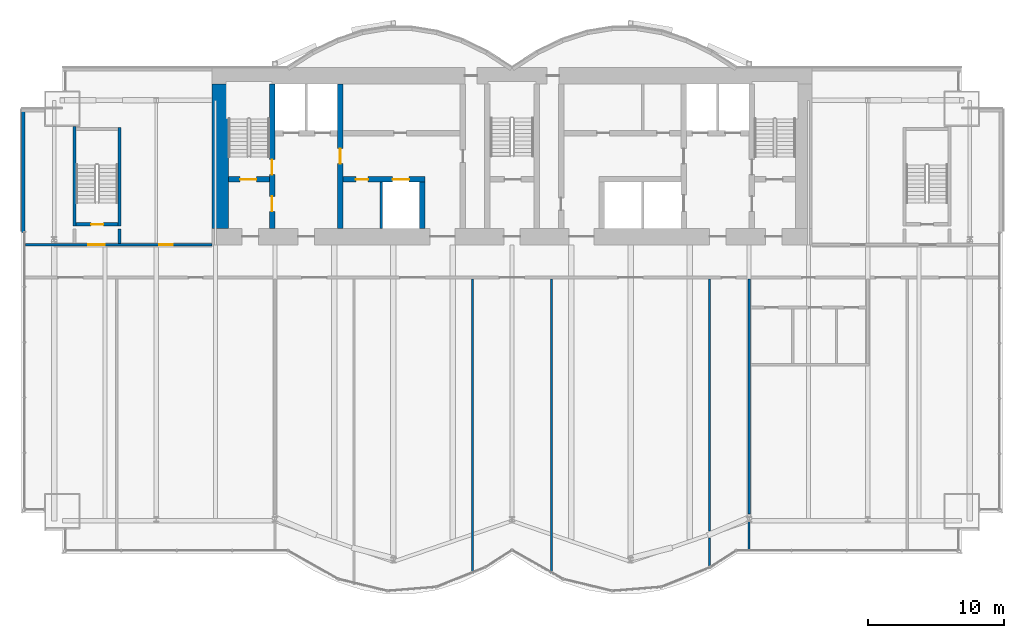
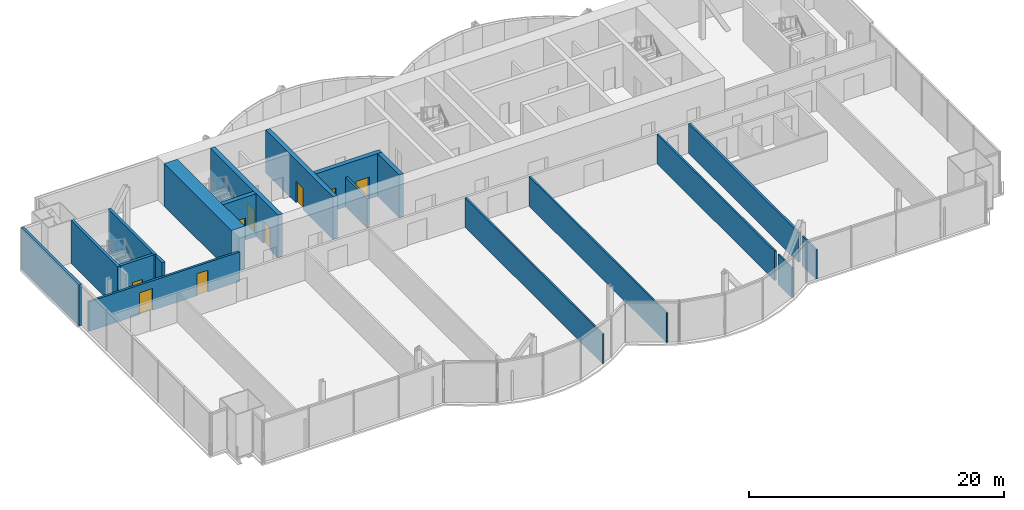
# One storey, part 16 of 22: 19 walls, 9 doors, 9 openings.
"""IFC4 building model written with IfcOpenShell, lengths in metres."""

from ifc_helpers import new_model, si_unit, direction, frame, frame_2d, origin, place, context, subcontext, project, spatial, rectangle, extrude, material, layer, layer_set, layer_usage, type_object, element, fill, save


model = new_model("IFC4")

# Units and contexts
model_context = context("Model", 3, precision=1e-05, world=origin(), true_north=direction((0.0, 1.0)))
body_context = subcontext(model_context, "Body", "Model", "MODEL_VIEW")
ifc_project = project(units=[si_unit("LENGTHUNIT", "METRE"), si_unit("AREAUNIT", "SQUARE_METRE"), si_unit("VOLUMEUNIT", "CUBIC_METRE"), si_unit("PLANEANGLEUNIT", "RADIAN"), si_unit("MASSUNIT", "GRAM", prefix="KILO")], contexts=[model_context])

# Site, building, storey
site_placement = place(None, origin())
site = spatial("IfcSite", under=ifc_project, at=site_placement, CompositionType="ELEMENT")
building_placement = place(site_placement, origin())
building = spatial("IfcBuilding", under=site, at=building_placement, Name="Bicima Exchange Tower", CompositionType="ELEMENT")
storey_placement = place(building_placement, frame((0.0, 0.0, 148.60009765625)))
storey = spatial("IfcBuildingStorey", under=building, at=storey_placement, Name="L32", CompositionType="ELEMENT", Elevation=148.60009765625)

# Wall
ifc_material_1 = material(Name="Gypsum board partition")
ifc_layer_1 = layer(ifc_material_1, 0.199951171875)
ifc_layer_set_1 = layer_set([ifc_layer_1], Name="Gypsum board partition")
wall_type_1 = type_object("IfcWallType", Name="Fire-rated gypsum partition 200 EI120", PredefinedType="PARTITIONING", material=ifc_layer_set_1)
wall_1_placement = place(storey_placement, frame((-9.60009765625, -11.800048828125, 0.0), z_axis=(0.0, 0.0, 1.0), x_axis=(0.0, 1.0, 0.0)))
element("IfcWall", 1, at=wall_1_placement, inside=storey, type_object=wall_type_1, Name="partition wall 11", PredefinedType="PARTITIONING", context=body_context, shape_type="SweptSolid", body=[
    extrude(rectangle(XDim=3.400146484375, YDim=0.199951171875, at=frame_2d((1.7001953125, 0.0))), origin(), (0.0, 0.0, 1.0), 2.840087890625),
])

# Wall, openings, doors
ifc_layer_2 = layer(ifc_material_1, 0.199951171875)
ifc_layer_set_2 = layer_set([ifc_layer_2], Name="Gypsum board partition")
wall_type_2 = type_object("IfcWallType", Name="Fire-rated gypsum partition 200 EI60", PredefinedType="PARTITIONING", material=ifc_layer_set_2)
wall_2_placement = place(storey_placement, frame((-35.679931640625, -13.0, 0.0), z_axis=(0.0, 0.0, 1.0), x_axis=(1.0, 0.0, 0.0)))
wall_2 = element("IfcWall", 2, at=wall_2_placement, inside=storey, type_object=wall_type_2, Name="partition wall 4", PredefinedType="PARTITIONING", context=body_context, shape_type="SweptSolid", body=[
    extrude(rectangle(XDim=13.679931640625, YDim=0.199951171875, at=frame_2d((6.83984375, 0.0))), origin(), (0.0, 0.0, 1.0), 2.840087890625),
])
opening_1_placement = place(wall_2_placement, frame((4.580078125, 0.0, 0.0)))
opening_1 = element("IfcOpeningElement", 3, at=opening_1_placement, cuts=wall_2, Name="Opening L32-001", PredefinedType="OPENING", context=body_context, shape_type="SweptSolid", body=[
    extrude(rectangle(XDim=1.199951171875, YDim=2.10009765625, at=frame_2d((0.60009765625, 1.050048828125))), frame((0.0, 0.11181640625, 0.0), z_axis=(0.0, -1.0, 0.0), x_axis=(1.0, 0.0, 0.0)), (0.0, 0.0, 1.0), 0.223876953125),
])
opening_2_placement = place(wall_2_placement, frame((9.780029296875, 0.0, 0.0)))
opening_2 = element("IfcOpeningElement", 4, at=opening_2_placement, cuts=wall_2, Name="Opening L32-005", PredefinedType="OPENING", context=body_context, shape_type="SweptSolid", body=[
    extrude(rectangle(XDim=1.0, YDim=2.10009765625, at=frame_2d((0.5, 1.050048828125))), frame((0.0, 0.11181640625, 0.0), z_axis=(0.0, -1.0, 0.0), x_axis=(1.0, 0.0, 0.0)), (0.0, 0.0, 1.0), 0.223876953125),
])
ifc_material_2 = material(Name="Steel fire door leaf", Category="steel")
door_type_1 = type_object("IfcDoorType", Name="Door 1000 swing FD30S", OperationType="SINGLE_SWING_LEFT", PredefinedType="DOOR", material=ifc_material_2)
door_1_placement = place(opening_2_placement, origin())
door_1 = element("IfcDoor", 5, at=door_1_placement, inside=storey, type_object=door_type_1, Name="Door", OperationType="SINGLE_SWING_LEFT", OverallHeight=2.10009765625, OverallWidth=1.0, PredefinedType="DOOR", context=body_context, shape_type="SweptSolid", body=[
    extrude(rectangle(XDim=1.0, YDim=2.10009765625, at=frame_2d((0.5, 1.050048828125))), frame((0.0, 0.02490234375, 0.0), z_axis=(0.0, -1.0, 0.0), x_axis=(1.0, 0.0, 0.0)), (0.0, 0.0, 1.0), 0.050048828125),
])
fill(opening_2, door_1)
door_type_2 = type_object("IfcDoorType", Name="Door 1200 swing FD30S", OperationType="SINGLE_SWING_LEFT", PredefinedType="DOOR", material=ifc_material_2)
door_2_placement = place(opening_1_placement, origin())
door_2 = element("IfcDoor", 6, at=door_2_placement, inside=storey, type_object=door_type_2, Name="Door", OperationType="SINGLE_SWING_LEFT", OverallHeight=2.10009765625, OverallWidth=1.199951171875, PredefinedType="DOOR", context=body_context, shape_type="SweptSolid", body=[
    extrude(rectangle(XDim=1.199951171875, YDim=2.10009765625, at=frame_2d((0.60009765625, 1.050048828125))), frame((0.0, 0.02490234375, 0.0), z_axis=(0.0, -1.0, 0.0), x_axis=(1.0, 0.0, 0.0)), (0.0, 0.0, 1.0), 0.050048828125),
])
fill(opening_1, door_2)

# Walls
wall_3_placement = place(storey_placement, frame((17.39990234375, -32.76611328125, 0.0), z_axis=(0.0, 0.0, 1.0), x_axis=(0.0, 1.0, 0.0)))
element("IfcWall", 7, at=wall_3_placement, inside=storey, type_object=wall_type_2, Name="partition wall 22", PredefinedType="PARTITIONING", context=body_context, shape_type="SweptSolid", body=[
    extrude(rectangle(XDim=17.26611328125, YDim=0.199951171875, at=frame_2d((8.633056640625, 0.0))), origin(), (0.0, 0.0, 1.0), 2.840087890625),
])
ifc_layer_3 = layer(ifc_material_1, 0.14990234375)
ifc_layer_set_3 = layer_set([ifc_layer_3], Name="Gypsum board partition")
wall_type_3 = type_object("IfcWallType", Name="Gypsum partition 150", PredefinedType="PARTITIONING", material=ifc_layer_set_3)
for number, where, z_axis, x_axis, name in (
    (8, (-2.89990234375, -37.1201171875, 0.0), (0.0, 0.0, 1.0), (0.0, 1.0, 0.0), "partition wall 17"),
    (9, (2.89990234375, -37.1201171875, 0.0), (0.0, 0.0, 1.0), (0.0, 1.0, 0.0), "partition wall 18"),
):
    element("IfcWall", number, at=place(storey_placement, frame(where, z_axis=z_axis, x_axis=x_axis)), inside=storey, type_object=wall_type_3, Name=name, PredefinedType="PARTITIONING", context=body_context, shape_type="SweptSolid", body=[
        extrude(rectangle(XDim=21.6201171875, YDim=0.14990234375, at=frame_2d((10.81005859375, 0.0))), origin(), (0.0, 0.0, 1.0), 2.840087890625),
    ])
wall_4_placement = place(storey_placement, frame((14.5, -36.68994140625, 0.0), z_axis=(0.0, 0.0, 1.0), x_axis=(0.0, 1.0, 0.0)))
element("IfcWall", 10, at=wall_4_placement, inside=storey, type_object=wall_type_3, Name="partition wall 19", PredefinedType="PARTITIONING", context=body_context, shape_type="SweptSolid", body=[
    extrude(rectangle(XDim=2.191162109375, YDim=0.14990234375, at=frame_2d((1.095703125, 0.0))), origin(), (0.0, 0.0, 1.0), 2.840087890625),
])
wall_5_placement = place(storey_placement, frame((14.5, -34.007080078125, 0.0), z_axis=(0.0, 0.0, 1.0), x_axis=(0.0, 1.0, 0.0)))
element("IfcWall", 11, at=wall_5_placement, inside=storey, type_object=wall_type_3, Name="partition wall 20", PredefinedType="PARTITIONING", context=body_context, shape_type="SweptSolid", body=[
    extrude(rectangle(XDim=18.507080078125, YDim=0.14990234375, at=frame_2d((9.25341796875, 0.0))), origin(), (0.0, 0.0, 1.0), 2.840087890625),
])
wall_6_placement = place(storey_placement, frame((17.39990234375, -35.449951171875, 0.0), z_axis=(0.0, 0.0, 1.0), x_axis=(0.0, 1.0, 0.0)))
element("IfcWall", 12, at=wall_6_placement, inside=storey, type_object=wall_type_3, Name="partition wall 21", PredefinedType="PARTITIONING", context=body_context, shape_type="SweptSolid", body=[
    extrude(rectangle(XDim=2.192138671875, YDim=0.14990234375, at=frame_2d((1.09619140625, 0.0))), origin(), (0.0, 0.0, 1.0), 2.840087890625),
])
ifc_material_3 = material(Name="Concrete C50/60", Category="concrete")
ifc_layer_4 = layer(ifc_material_3, 1.199951171875)
ifc_layer_set_4 = layer_set([ifc_layer_4], Name="Concrete C50/60")
wall_type_4 = type_object("IfcWallType", Name="RC core wall 1200 C50/60", PredefinedType="SHEAR", material=ifc_layer_set_4)
wall_7_placement = place(storey_placement, frame((-21.39990234375, -11.800048828125, 0.0), z_axis=(0.0, 0.0, 1.0), x_axis=(0.0, 1.0, 0.0)))
element("IfcWall", 13, at=wall_7_placement, inside=storey, type_object=wall_type_4, Name="Core wall west", PredefinedType="SHEAR", context=body_context, shape_type="SweptSolid", body=[
    extrude(rectangle(XDim=10.60009765625, YDim=1.199951171875, at=frame_2d((5.300048828125, 0.0))), origin(), (0.0, 0.0, 1.0), 4.099853515625),
])
ifc_layer_5 = layer(ifc_material_3, 0.25)
ifc_layer_set_5 = layer_set([ifc_layer_5], Name="Concrete C50/60")
wall_type_5 = type_object("IfcWallType", Name="RC core wall 250 C50/60", PredefinedType="SHEAR", material=ifc_layer_set_5)
wall_8_placement = place(storey_placement, frame((-28.800048828125, -12.89990234375, 0.0), z_axis=(0.0, 0.0, 1.0), x_axis=(0.0, 1.0, 0.0)))
element("IfcWall", 14, at=wall_8_placement, inside=storey, type_object=wall_type_5, Name="stair wall 12", PredefinedType="SHEAR", context=body_context, shape_type="SweptSolid", body=[
    extrude(rectangle(XDim=1.0498046875, YDim=0.25, at=frame_2d((0.52490234375, 0.0))), origin(), (0.0, 0.0, 1.0), 4.099853515625),
])

# Wall, opening, door
ifc_layer_6 = layer(ifc_material_3, 0.39990234375)
ifc_layer_set_6 = layer_set([ifc_layer_6], Name="Concrete C50/60")
wall_type_6 = type_object("IfcWallType", Name="RC core wall 400 C50/60", PredefinedType="SHEAR", material=ifc_layer_set_6)
wall_9_placement = place(storey_placement, frame((-20.800048828125, -8.199951171875, 0.0), z_axis=(0.0, 0.0, 1.0), x_axis=(1.0, 0.0, 0.0)))
wall_9 = element("IfcWall", 15, at=wall_9_placement, inside=storey, type_object=wall_type_6, Name="stair wall 1", PredefinedType="SHEAR", context=body_context, shape_type="SweptSolid", body=[
    extrude(rectangle(XDim=3.0, YDim=0.39990234375, at=frame_2d((1.5, 0.0))), origin(), (0.0, 0.0, 1.0), 4.099853515625),
])
opening_3_placement = place(wall_9_placement, frame((0.85009765625, 0.0, 0.0)))
opening_3 = element("IfcOpeningElement", 16, at=opening_3_placement, cuts=wall_9, Name="Opening L32-C01", PredefinedType="OPENING", context=body_context, shape_type="SweptSolid", body=[
    extrude(rectangle(XDim=1.199951171875, YDim=2.10009765625, at=frame_2d((0.60009765625, 1.050048828125))), frame((0.0, 0.2119140625, 0.0), z_axis=(0.0, -1.0, 0.0), x_axis=(1.0, 0.0, 0.0)), (0.0, 0.0, 1.0), 0.423828125),
])
door_type_3 = type_object("IfcDoorType", Name="Door 1200 swing FD60S", OperationType="SINGLE_SWING_LEFT", PredefinedType="DOOR", material=ifc_material_2)
door_3_placement = place(opening_3_placement, origin())
door_3 = element("IfcDoor", 17, at=door_3_placement, inside=storey, type_object=door_type_3, Name="Core door", OperationType="SINGLE_SWING_LEFT", OverallHeight=2.10009765625, OverallWidth=1.199951171875, PredefinedType="DOOR", context=body_context, shape_type="SweptSolid", body=[
    extrude(rectangle(XDim=1.199951171875, YDim=2.10009765625, at=frame_2d((0.60009765625, 1.050048828125))), frame((0.0, 0.02490234375, 0.0), z_axis=(0.0, -1.0, 0.0), x_axis=(1.0, 0.0, 0.0)), (0.0, 0.0, 1.0), 0.050048828125),
])
fill(opening_3, door_3)

# Wall, openings, doors
wall_10_placement = place(storey_placement, frame((-12.39990234375, -8.199951171875, 0.0), z_axis=(0.0, 0.0, 1.0), x_axis=(1.0, 0.0, 0.0)))
wall_10 = element("IfcWall", 18, at=wall_10_placement, inside=storey, type_object=wall_type_6, Name="shear wall 2", PredefinedType="SHEAR", context=body_context, shape_type="SweptSolid", body=[
    extrude(rectangle(XDim=6.0, YDim=0.39990234375, at=frame_2d((3.0, 0.0))), origin(), (0.0, 0.0, 1.0), 4.099853515625),
])
opening_4_placement = place(wall_10_placement, frame((3.64990234375, 0.0, 0.0)))
opening_4 = element("IfcOpeningElement", 19, at=opening_4_placement, cuts=wall_10, Name="Opening LD-MB1-L32", PredefinedType="OPENING", context=body_context, shape_type="SweptSolid", body=[
    extrude(rectangle(XDim=1.199951171875, YDim=2.10009765625, at=frame_2d((0.60009765625, 1.050048828125))), frame((0.0, 0.2119140625, 0.0), z_axis=(0.0, -1.0, 0.0), x_axis=(1.0, 0.0, 0.0)), (0.0, 0.0, 1.0), 0.423828125),
])
opening_5_placement = place(wall_10_placement, frame((0.949951171875, 0.0, 0.0)))
opening_5 = element("IfcOpeningElement", 20, at=opening_5_placement, cuts=wall_10, Name="Opening L32-C15", PredefinedType="OPENING", context=body_context, shape_type="SweptSolid", body=[
    extrude(rectangle(XDim=0.89990234375, YDim=2.10009765625, at=frame_2d((0.449951171875, 1.050048828125))), frame((0.0, 0.2119140625, 0.0), z_axis=(0.0, -1.0, 0.0), x_axis=(1.0, 0.0, 0.0)), (0.0, 0.0, 1.0), 0.423828125),
])
door_type_4 = type_object("IfcDoorType", Name="Door 900 swing FD30S", OperationType="SINGLE_SWING_LEFT", PredefinedType="DOOR", material=ifc_material_2)
door_4_placement = place(opening_5_placement, frame((0.89990234375, 0.0, 0.0), z_axis=(0.0, 0.0, 1.0), x_axis=(-1.0, 0.0, 0.0)))
door_4 = element("IfcDoor", 21, at=door_4_placement, inside=storey, type_object=door_type_4, Name="Core door", OperationType="SINGLE_SWING_RIGHT", OverallHeight=2.10009765625, OverallWidth=0.89990234375, PredefinedType="DOOR", context=body_context, shape_type="SweptSolid", body=[
    extrude(rectangle(XDim=0.89990234375, YDim=2.10009765625, at=frame_2d((0.449951171875, 1.050048828125))), frame((0.0, 0.02490234375, 0.0), z_axis=(0.0, -1.0, 0.0), x_axis=(1.0, 0.0, 0.0)), (0.0, 0.0, 1.0), 0.050048828125),
])
fill(opening_5, door_4)
ifc_material_4 = material(Name="Stainless steel", Category="steel")
door_type_5 = type_object("IfcDoorType", Name="Lift landing door 1200 sliding", OperationType="DOUBLE_DOOR_SLIDING", PredefinedType="DOOR", material=ifc_material_4)
door_5_placement = place(opening_4_placement, origin())
door_5 = element("IfcDoor", 22, at=door_5_placement, inside=storey, type_object=door_type_5, Name="Lift landing door MB1", OperationType="DOUBLE_DOOR_SLIDING", OverallHeight=2.10009765625, OverallWidth=1.199951171875, PredefinedType="DOOR", context=body_context, shape_type="SweptSolid", body=[
    extrude(rectangle(XDim=1.199951171875, YDim=2.10009765625, at=frame_2d((0.60009765625, 1.050048828125))), frame((0.0, 0.02490234375, 0.0), z_axis=(0.0, -1.0, 0.0), x_axis=(1.0, 0.0, 0.0)), (0.0, 0.0, 1.0), 0.050048828125),
])
fill(opening_4, door_5)

wall_11_placement = place(storey_placement, frame((-17.60009765625, -11.800048828125, 0.0), z_axis=(0.0, 0.0, 1.0), x_axis=(0.0, 1.0, 0.0)))
wall_11 = element("IfcWall", 23, at=wall_11_placement, inside=storey, type_object=wall_type_6, Name="stair wall 8", PredefinedType="SHEAR", context=body_context, shape_type="SweptSolid", body=[
    extrude(rectangle(XDim=10.60009765625, YDim=0.39990234375, at=frame_2d((5.300048828125, 0.0))), origin(), (0.0, 0.0, 1.0), 4.099853515625),
])
opening_6_placement = place(wall_11_placement, frame((1.25, 0.0, 0.0)))
opening_6 = element("IfcOpeningElement", 24, at=opening_6_placement, cuts=wall_11, Name="Opening L32-C02", PredefinedType="OPENING", context=body_context, shape_type="SweptSolid", body=[
    extrude(rectangle(XDim=1.10009765625, YDim=2.10009765625, at=frame_2d((0.550048828125, 1.050048828125))), frame((0.0, 0.2119140625, 0.0), z_axis=(0.0, -1.0, 0.0), x_axis=(1.0, 0.0, 0.0)), (0.0, 0.0, 1.0), 0.423828125),
])
opening_7_placement = place(wall_11_placement, frame((3.949951171875, 0.0, 0.0)))
opening_7 = element("IfcOpeningElement", 25, at=opening_7_placement, cuts=wall_11, Name="Opening L32-C06", PredefinedType="OPENING", context=body_context, shape_type="SweptSolid", body=[
    extrude(rectangle(XDim=1.10009765625, YDim=2.10009765625, at=frame_2d((0.550048828125, 1.050048828125))), frame((0.0, 0.2119140625, 0.0), z_axis=(0.0, -1.0, 0.0), x_axis=(1.0, 0.0, 0.0)), (0.0, 0.0, 1.0), 0.423828125),
])
door_type_6 = type_object("IfcDoorType", Name="Door 1100 swing FD60S", OperationType="SINGLE_SWING_LEFT", PredefinedType="DOOR", material=ifc_material_2)
door_6_placement = place(opening_6_placement, frame((1.10009765625, 0.0, 0.0), z_axis=(0.0, 0.0, 1.0), x_axis=(-1.0, 0.0, 0.0)))
door_6 = element("IfcDoor", 26, at=door_6_placement, inside=storey, type_object=door_type_6, Name="Core door", OperationType="SINGLE_SWING_LEFT", OverallHeight=2.10009765625, OverallWidth=1.10009765625, PredefinedType="DOOR", context=body_context, shape_type="SweptSolid", body=[
    extrude(rectangle(XDim=1.10009765625, YDim=2.10009765625, at=frame_2d((0.550048828125, 1.050048828125))), frame((0.0, 0.02490234375, 0.0), z_axis=(0.0, -1.0, 0.0), x_axis=(1.0, 0.0, 0.0)), (0.0, 0.0, 1.0), 0.050048828125),
])
fill(opening_6, door_6)
door_7_placement = place(opening_7_placement, frame((1.10009765625, 0.0, 0.0), z_axis=(0.0, 0.0, 1.0), x_axis=(-1.0, 0.0, 0.0)))
door_7 = element("IfcDoor", 27, at=door_7_placement, inside=storey, type_object=door_type_6, Name="Core door", OperationType="SINGLE_SWING_LEFT", OverallHeight=2.10009765625, OverallWidth=1.10009765625, PredefinedType="DOOR", context=body_context, shape_type="SweptSolid", body=[
    extrude(rectangle(XDim=1.10009765625, YDim=2.10009765625, at=frame_2d((0.550048828125, 1.050048828125))), frame((0.0, 0.02490234375, 0.0), z_axis=(0.0, -1.0, 0.0), x_axis=(1.0, 0.0, 0.0)), (0.0, 0.0, 1.0), 0.050048828125),
])
fill(opening_7, door_7)

# Wall, opening, door
wall_12_placement = place(storey_placement, frame((-12.60009765625, -11.800048828125, 0.0), z_axis=(0.0, 0.0, 1.0), x_axis=(0.0, 1.0, 0.0)))
wall_12 = element("IfcWall", 28, at=wall_12_placement, inside=storey, type_object=wall_type_6, Name="shear wall 10", PredefinedType="SHEAR", context=body_context, shape_type="SweptSolid", body=[
    extrude(rectangle(XDim=10.60009765625, YDim=0.39990234375, at=frame_2d((5.300048828125, 0.0))), origin(), (0.0, 0.0, 1.0), 4.099853515625),
])
opening_8_placement = place(wall_12_placement, frame((4.75, 0.0, 0.0)))
opening_8 = element("IfcOpeningElement", 29, at=opening_8_placement, cuts=wall_12, Name="Opening L32-C07", PredefinedType="OPENING", context=body_context, shape_type="SweptSolid", body=[
    extrude(rectangle(XDim=1.10009765625, YDim=2.10009765625, at=frame_2d((0.550048828125, 1.050048828125))), frame((0.0, 0.2119140625, 0.0), z_axis=(0.0, -1.0, 0.0), x_axis=(1.0, 0.0, 0.0)), (0.0, 0.0, 1.0), 0.423828125),
])
door_8_placement = place(opening_8_placement, origin())
door_8 = element("IfcDoor", 30, at=door_8_placement, inside=storey, type_object=door_type_6, Name="Core door", OperationType="SINGLE_SWING_LEFT", OverallHeight=2.10009765625, OverallWidth=1.10009765625, PredefinedType="DOOR", context=body_context, shape_type="SweptSolid", body=[
    extrude(rectangle(XDim=1.10009765625, YDim=2.10009765625, at=frame_2d((0.550048828125, 1.050048828125))), frame((0.0, 0.02490234375, 0.0), z_axis=(0.0, -1.0, 0.0), x_axis=(1.0, 0.0, 0.0)), (0.0, 0.0, 1.0), 0.050048828125),
])
fill(opening_8, door_8)

# Walls
wall_13_placement = place(storey_placement, frame((-6.60009765625, -11.800048828125, 0.0), z_axis=(0.0, 0.0, 1.0), x_axis=(0.0, 1.0, 0.0)))
element("IfcWall", 31, at=wall_13_placement, inside=storey, type_object=wall_type_6, Name="shear wall 12", PredefinedType="SHEAR", context=body_context, shape_type="SweptSolid", body=[
    extrude(rectangle(XDim=3.400146484375, YDim=0.39990234375, at=frame_2d((1.7001953125, 0.0))), origin(), (0.0, 0.0, 1.0), 4.099853515625),
])
ifc_layer_7 = layer(ifc_material_3, 0.25)
ifc_layer_set_7 = layer_set([ifc_layer_7], Name="Concrete C50/60")
wall_type_7 = type_object("IfcWallType", Name="RC stair enclosure wall 250 C50/60", PredefinedType="SHEAR", material=ifc_layer_set_7)
wall_14_placement = place(storey_placement, frame((-32.10009765625, -11.625, 0.0), z_axis=(0.0, 0.0, 1.0), x_axis=(0.0, 1.0, 0.0)))
element("IfcWall", 32, at=wall_14_placement, inside=storey, type_object=wall_type_7, Name="West end exit stair wall W", PredefinedType="SHEAR", context=body_context, shape_type="SweptSolid", body=[
    extrude(rectangle(XDim=7.324951171875, YDim=0.25, at=frame_2d((3.66259765625, 0.0))), origin(), (0.0, 0.0, 1.0), 4.099853515625),
])
wall_15_placement = place(storey_placement, frame((-28.800048828125, -11.625, 0.0), z_axis=(0.0, 0.0, 1.0), x_axis=(0.0, 1.0, 0.0)))
element("IfcWall", 33, at=wall_15_placement, inside=storey, type_object=wall_type_7, Name="West end exit stair wall E", PredefinedType="SHEAR", context=body_context, shape_type="SweptSolid", body=[
    extrude(rectangle(XDim=7.25, YDim=0.25, at=frame_2d((3.625, 0.0))), origin(), (0.0, 0.0, 1.0), 4.099853515625),
])

# Wall, opening, door
wall_16_placement = place(storey_placement, frame((-31.97509765625, -11.5, 0.0), z_axis=(0.0, 0.0, 1.0), x_axis=(1.0, 0.0, 0.0)))
wall_16 = element("IfcWall", 34, at=wall_16_placement, inside=storey, type_object=wall_type_7, Name="West end exit stair wall S", PredefinedType="SHEAR", context=body_context, shape_type="SweptSolid", body=[
    extrude(rectangle(XDim=3.050048828125, YDim=0.25, at=frame_2d((1.52490234375, 0.0))), origin(), (0.0, 0.0, 1.0), 4.099853515625),
])
opening_9_placement = place(wall_16_placement, frame((1.10009765625, 0.0, 0.0)))
opening_9 = element("IfcOpeningElement", 35, at=opening_9_placement, cuts=wall_16, Name="Opening L32-002", PredefinedType="OPENING", context=body_context, shape_type="SweptSolid", body=[
    extrude(rectangle(XDim=0.89990234375, YDim=2.10009765625, at=frame_2d((0.449951171875, 1.050048828125))), frame((0.0, 0.136962890625, 0.0), z_axis=(0.0, -1.0, 0.0), x_axis=(1.0, 0.0, 0.0)), (0.0, 0.0, 1.0), 0.27392578125),
])
door_type_7 = type_object("IfcDoorType", Name="Door 900 swing FD60S", OperationType="SINGLE_SWING_LEFT", PredefinedType="DOOR", material=ifc_material_2)
door_9_placement = place(opening_9_placement, origin())
door_9 = element("IfcDoor", 36, at=door_9_placement, inside=storey, type_object=door_type_7, Name="Door", OperationType="SINGLE_SWING_LEFT", OverallHeight=2.10009765625, OverallWidth=0.89990234375, PredefinedType="DOOR", context=body_context, shape_type="SweptSolid", body=[
    extrude(rectangle(XDim=0.89990234375, YDim=2.10009765625, at=frame_2d((0.449951171875, 1.050048828125))), frame((0.0, 0.02490234375, 0.0), z_axis=(0.0, -1.0, 0.0), x_axis=(1.0, 0.0, 0.0)), (0.0, 0.0, 1.0), 0.050048828125),
])
fill(opening_9, door_9)

# Wall
ifc_material_5 = material(Name="Concrete C40/50", Category="concrete")
ifc_layer_8 = layer(ifc_material_5, 0.25)
ifc_layer_set_8 = layer_set([ifc_layer_8], Name="Concrete C40/50")
ifc_layer_usage = layer_usage(ifc_layer_set_8, "AXIS2", "POSITIVE", -0.125)
wall_type_8 = type_object("IfcWallType", Name="Rear backup wall 250", PredefinedType="STANDARD", material=ifc_layer_set_8)
wall_17_placement = place(storey_placement, frame((-35.875, -3.0, 0.0), z_axis=(0.0, 0.0, 1.0), x_axis=(0.0, -1.0, 0.0)))
element("IfcWall", 37, at=wall_17_placement, inside=storey, type_object=wall_type_8, material=ifc_layer_usage, Name="Rear backup wall L32 23", PredefinedType="STANDARD", context=body_context, shape_type="SweptSolid", body=[
    extrude(rectangle(XDim=9.090087890625, YDim=0.25, at=frame_2d((4.544921875, 0.0))), origin(), (0.0, 0.0, 1.0), 3.949951171875),
])

save(model, "model.ifc")
